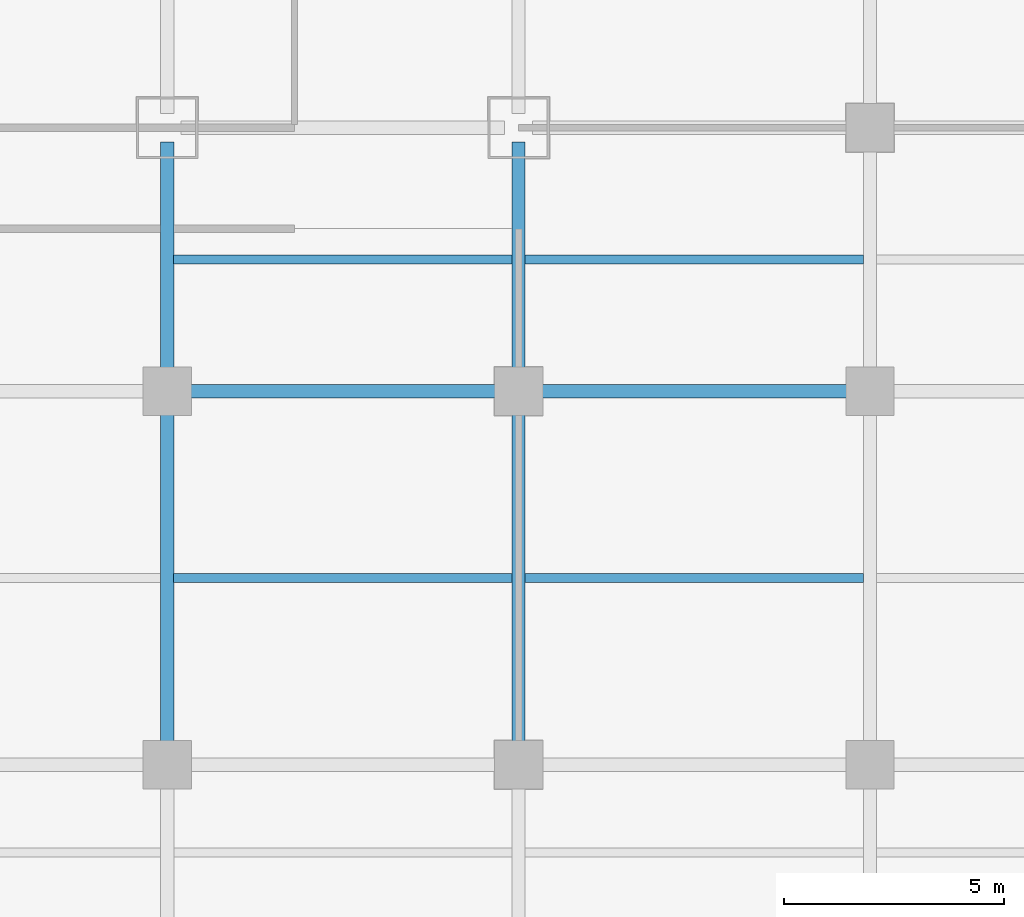
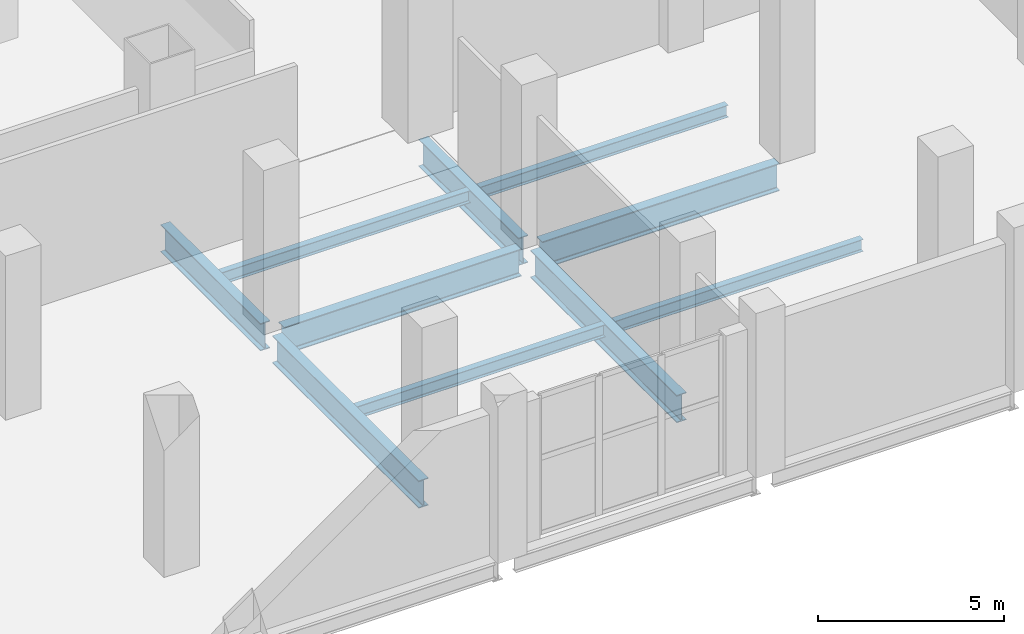
# One storey, part 7 of 18: 10 beams.
"""IFC4 building model written with IfcOpenShell, lengths in metres."""

from ifc_helpers import new_model, si_unit, direction, frame, origin, origin_2d, place, context, subcontext, project, spatial, i_section, extrude, material, material_profile, profile_set, type_object, element, save


model = new_model("IFC4")

# Units and contexts
model_context = context("Model", 3, precision=1e-05, world=origin(), true_north=direction((0.0, 1.0)))
body_context = subcontext(model_context, "Body", "Model", "MODEL_VIEW")
ifc_project = project(units=[si_unit("LENGTHUNIT", "METRE"), si_unit("AREAUNIT", "SQUARE_METRE"), si_unit("VOLUMEUNIT", "CUBIC_METRE"), si_unit("PLANEANGLEUNIT", "RADIAN"), si_unit("MASSUNIT", "GRAM", prefix="KILO")], contexts=[model_context])

# Site, building, storey
site_placement = place(None, origin())
site = spatial("IfcSite", under=ifc_project, at=site_placement, CompositionType="ELEMENT")
building_placement = place(site_placement, origin())
building = spatial("IfcBuilding", under=site, at=building_placement, Name="Qianrong Seaharbour Tower", CompositionType="ELEMENT")
storey_placement = place(building_placement, frame((0.0, 0.0, 6.0)))
storey = spatial("IfcBuildingStorey", under=building, at=storey_placement, Name="L02", CompositionType="ELEMENT", Elevation=6.0)

# Beams
ifc_material_1 = material(Name="Structural steel SN490B", Category="steel")
ifc_material_profile_1 = material_profile(ifc_material_1, i_section(OverallWidth=0.300048828125, OverallDepth=0.89990234375, WebThickness=0.01611328125, FlangeThickness=0.028076171875, FilletRadius=0.028076171875, at=origin_2d()), Name="H900x300x16x28")
ifc_profile_set_1 = profile_set([ifc_material_profile_1], Name="Structural steel SN490B")
beam_type_1 = type_object("IfcBeamType", Name="BM-G-900", PredefinedType="BEAM", material=ifc_profile_set_1)
for number, where, z_axis, x_axis, name in (
    (1, (32.820068359375, 12.5, -0.72998046875), (1.0, 0.0, 0.0), (0.0, 1.0, 0.0), "L02 Primary Girder GC G5-G6"),
    (2, (40.820068359375, 12.5, -0.72998046875), (1.0, 0.0, 0.0), (0.0, 1.0, 0.0), "L02 Primary Girder GC G6-G7"),
):
    element("IfcBeam", number, at=place(storey_placement, frame(where, z_axis=z_axis, x_axis=x_axis)), inside=storey, type_object=beam_type_1, Name=name, PredefinedType="BEAM", context=body_context, shape_type="SweptSolid", body=[
        extrude(i_section(OverallWidth=0.300048828125, OverallDepth=0.89990234375, WebThickness=0.01611328125, FlangeThickness=0.028076171875, FilletRadius=0.028076171875, at=origin_2d()), origin(), (0.0, 0.0, 1.0), 7.35986328125),
    ])
beam_1_placement = place(storey_placement, frame((32.5, 4.320068359375, -0.72998046875), z_axis=(0.0, 1.0, 0.0), x_axis=(-1.0, 0.0, 0.0)))
element("IfcBeam", 3, at=beam_1_placement, inside=storey, type_object=beam_type_1, Name="L02 Primary Girder G5 GB-GC", PredefinedType="BEAM", context=body_context, shape_type="SweptSolid", body=[
    extrude(i_section(OverallWidth=0.300048828125, OverallDepth=0.89990234375, WebThickness=0.01611328125, FlangeThickness=0.028076171875, FilletRadius=0.028076171875, at=origin_2d()), origin(), (0.0, 0.0, 1.0), 7.85986328125),
])
beam_2_placement = place(storey_placement, frame((32.5, 12.820068359375, -0.72998046875), z_axis=(0.0, 1.0, 0.0), x_axis=(-1.0, 0.0, 0.0)))
element("IfcBeam", 4, at=beam_2_placement, inside=storey, type_object=beam_type_1, Name="L02 Primary Girder G5 GC-GD", PredefinedType="BEAM", context=body_context, shape_type="SweptSolid", body=[
    extrude(i_section(OverallWidth=0.300048828125, OverallDepth=0.89990234375, WebThickness=0.01611328125, FlangeThickness=0.028076171875, FilletRadius=0.028076171875, at=origin_2d()), origin(), (0.0, 0.0, 1.0), 5.35986328125),
])
beam_3_placement = place(storey_placement, frame((40.5, 4.320068359375, -0.72998046875), z_axis=(0.0, 1.0, 0.0), x_axis=(-1.0, 0.0, 0.0)))
element("IfcBeam", 5, at=beam_3_placement, inside=storey, type_object=beam_type_1, Name="L02 Primary Girder G6 GB-GC", PredefinedType="BEAM", context=body_context, shape_type="SweptSolid", body=[
    extrude(i_section(OverallWidth=0.300048828125, OverallDepth=0.89990234375, WebThickness=0.01611328125, FlangeThickness=0.028076171875, FilletRadius=0.028076171875, at=origin_2d()), origin(), (0.0, 0.0, 1.0), 7.85986328125),
])
beam_4_placement = place(storey_placement, frame((40.5, 12.820068359375, -0.72998046875), z_axis=(0.0, 1.0, 0.0), x_axis=(-1.0, 0.0, 0.0)))
element("IfcBeam", 6, at=beam_4_placement, inside=storey, type_object=beam_type_1, Name="L02 Primary Girder G6 GC-GD", PredefinedType="BEAM", context=body_context, shape_type="SweptSolid", body=[
    extrude(i_section(OverallWidth=0.300048828125, OverallDepth=0.89990234375, WebThickness=0.01611328125, FlangeThickness=0.028076171875, FilletRadius=0.028076171875, at=origin_2d()), origin(), (0.0, 0.0, 1.0), 5.35986328125),
])
ifc_material_2 = material(Name="Structural steel SN400B", Category="steel")
ifc_material_profile_2 = material_profile(ifc_material_2, i_section(OverallWidth=0.199951171875, OverallDepth=0.39990234375, WebThickness=0.008056640625, FlangeThickness=0.012939453125, FilletRadius=0.01611328125, at=origin_2d()), Name="H400x200x8x13")
ifc_profile_set_2 = profile_set([ifc_material_profile_2], Name="Structural steel SN400B")
beam_type_2 = type_object("IfcBeamType", Name="BM-J-400", PredefinedType="JOIST", material=ifc_profile_set_2)
for number, where, z_axis, x_axis, name in (
    (7, (32.64990234375, 8.25, -0.47998046875), (1.0, 0.0, 0.0), (0.0, 1.0, 0.0), "L02 Composite Floor Joist G5-G6/GB-GC"),
    (8, (32.64990234375, 15.5, -0.47998046875), (1.0, 0.0, 0.0), (0.0, 1.0, 0.0), "L02 Composite Floor Joist G5-G6/GC-GD"),
    (9, (40.64990234375, 8.25, -0.47998046875), (1.0, 0.0, 0.0), (0.0, 1.0, 0.0), "L02 Composite Floor Joist G6-G7/GB-GC"),
    (10, (40.64990234375, 15.5, -0.47998046875), (1.0, 0.0, 0.0), (0.0, 1.0, 0.0), "L02 Composite Floor Joist G6-G7/GC-GD"),
):
    element("IfcBeam", number, at=place(storey_placement, frame(where, z_axis=z_axis, x_axis=x_axis)), inside=storey, type_object=beam_type_2, Name=name, PredefinedType="JOIST", context=body_context, shape_type="SweptSolid", body=[
        extrude(i_section(OverallWidth=0.199951171875, OverallDepth=0.39990234375, WebThickness=0.008056640625, FlangeThickness=0.012939453125, FilletRadius=0.01611328125, at=origin_2d()), origin(), (0.0, 0.0, 1.0), 7.7001953125),
    ])

save(model, "model.ifc")
